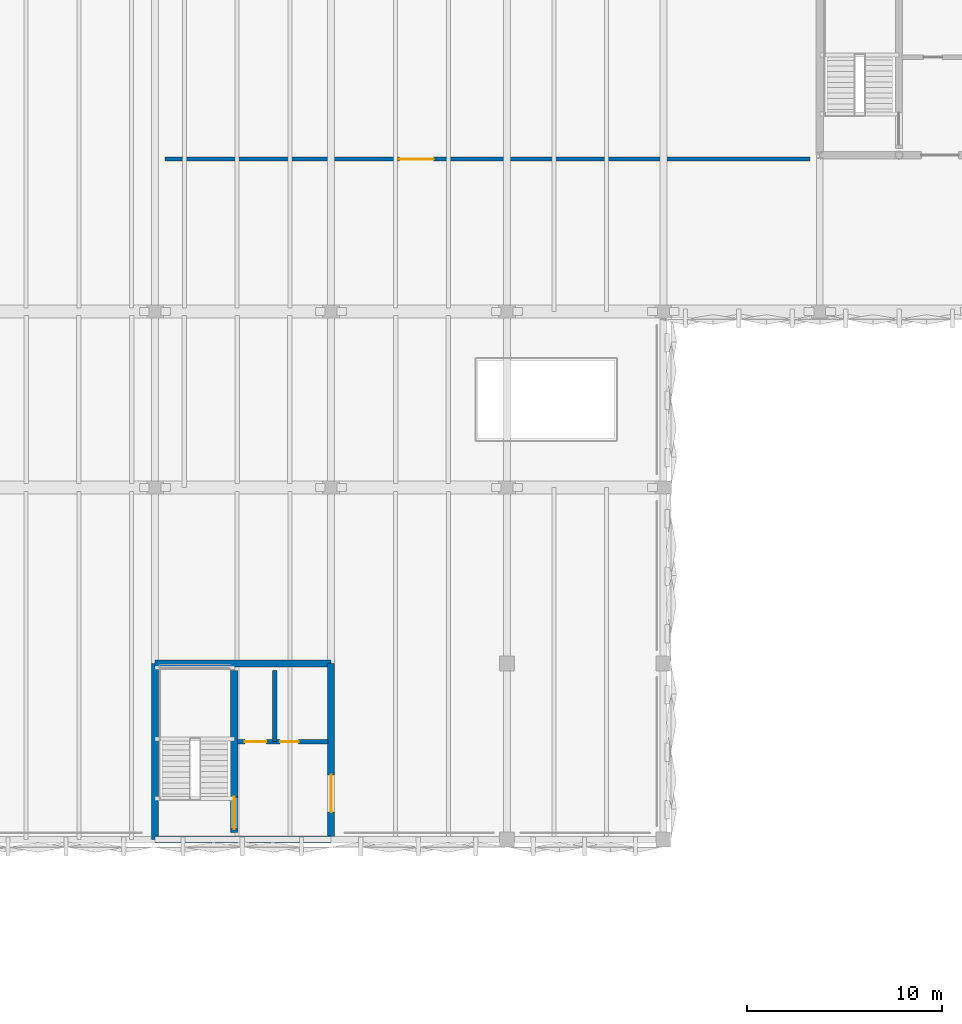
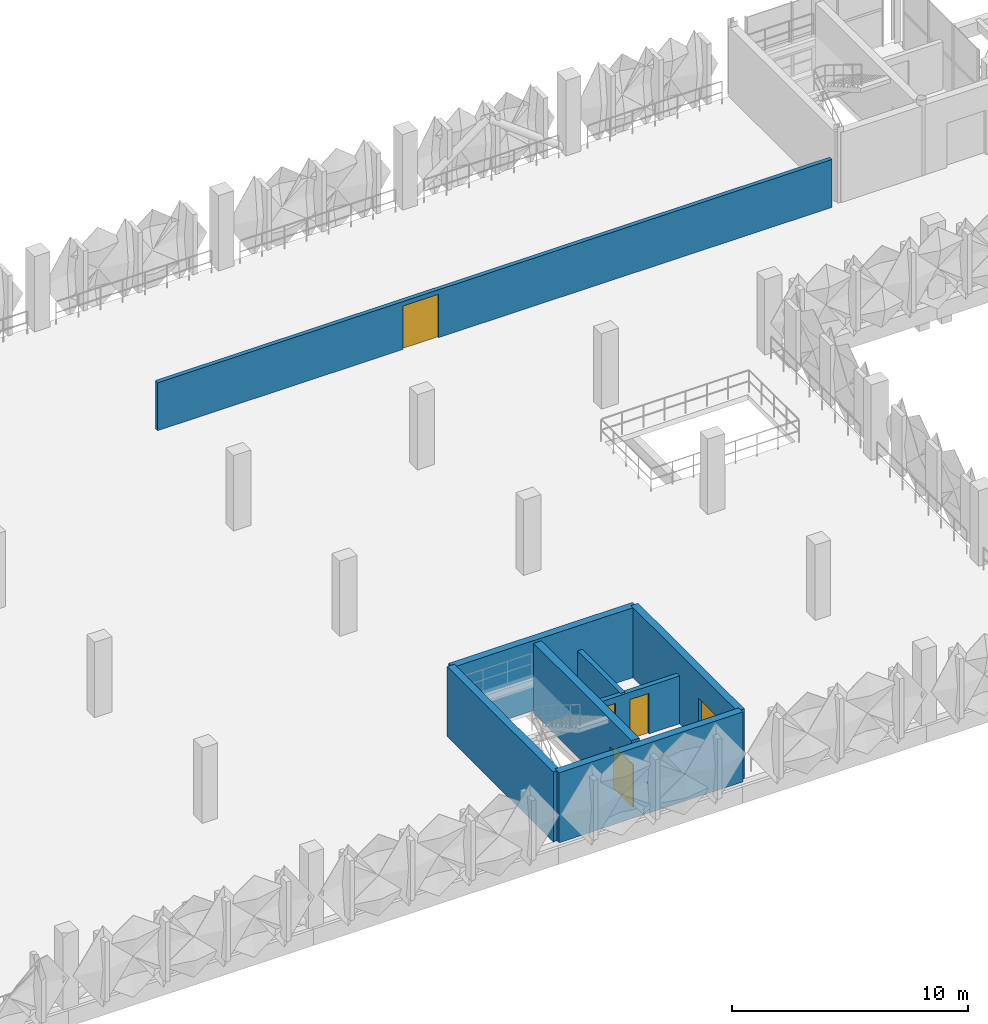
# One storey, part 41 of 76: 8 walls, 5 doors, 5 openings.
"""IFC4 building model written with IfcOpenShell, lengths in metres."""

from ifc_helpers import new_model, si_unit, derived_unit, direction, frame, frame_2d, origin, place, context, subcontext, project, spatial, rectangle, extrude, material, layer, layer_set, type_object, element, fill, save


model = new_model("IFC4")

# Units and contexts
model_context = context("Model", 3, precision=1e-05, world=origin(), true_north=direction((0.0, 1.0)))
body_context = subcontext(model_context, "Body", "Model", "MODEL_VIEW")
ifc_project = project(units=[si_unit("LENGTHUNIT", "METRE"), si_unit("AREAUNIT", "SQUARE_METRE"), si_unit("VOLUMEUNIT", "CUBIC_METRE"), si_unit("PLANEANGLEUNIT", "RADIAN"), si_unit("MASSUNIT", "GRAM", prefix="KILO"), si_unit("THERMODYNAMICTEMPERATUREUNIT", "KELVIN"), derived_unit("THERMALTRANSMITTANCEUNIT", [(si_unit("POWERUNIT", "WATT"), 1), (si_unit("AREAUNIT", "SQUARE_METRE"), -1), (si_unit("THERMODYNAMICTEMPERATUREUNIT", "KELVIN"), -1)])], contexts=[model_context])

# Site, building, storey
site_placement = place(None, origin())
site = spatial("IfcSite", under=ifc_project, at=site_placement, CompositionType="ELEMENT")
building_placement = place(site_placement, origin())
building = spatial("IfcBuilding", under=site, at=building_placement, Name="Haiyu Intermodal Mobility Hub", CompositionType="ELEMENT")
storey_placement = place(building_placement, frame((0.0, 0.0, 17.300048828125)))
storey = spatial("IfcBuildingStorey", under=building, at=storey_placement, Name="L04", CompositionType="ELEMENT", Elevation=17.300048828125)

# Wall
ifc_material_1 = material(Name="Autoclaved aerated concrete block A5.0", Category="concrete")
ifc_layer_1 = layer(ifc_material_1, 0.22998046875)
ifc_layer_set_1 = layer_set([ifc_layer_1], Name="Autoclaved aerated concrete block A5.0")
wall_type_1 = type_object("IfcWallType", Name="WAL-WI01", PredefinedType="PARTITIONING", material=ifc_layer_set_1)
wall_1_placement = place(storey_placement, frame((126.1298828125, 109.0, 0.0), z_axis=(0.0, 0.0, 1.0), x_axis=(0.0, 1.0, 0.0)))
element("IfcWall", 1, at=wall_1_placement, inside=storey, type_object=wall_type_1, Name="WAL-CORE-C6-LSH-L04", PredefinedType="PARTITIONING", context=body_context, shape_type="SweptSolid", body=[
    extrude(rectangle(XDim=3.64990234375, YDim=0.22998046875, at=frame_2d((1.824951171875, 0.0))), origin(), (0.0, 0.0, 1.0), 2.47998046875),
])

# Wall, openings, doors
wall_2_placement = place(storey_placement, frame((124.2099609375, 109.0, 0.0), z_axis=(0.0, 0.0, 1.0), x_axis=(1.0, 0.0, 0.0)))
wall_2 = element("IfcWall", 2, at=wall_2_placement, inside=storey, type_object=wall_type_1, Name="WAL-CORE-C6-LFT-L04", PredefinedType="PARTITIONING", context=body_context, shape_type="SweptSolid", body=[
    extrude(rectangle(XDim=4.630126953125, YDim=0.22998046875, at=frame_2d((2.31494140625, 0.0))), origin(), (0.0, 0.0, 1.0), 2.47998046875),
])
opening_1_placement = place(wall_2_placement, frame((0.3798828125, 0.0, 0.0)))
opening_1 = element("IfcOpeningElement", 3, at=opening_1_placement, cuts=wall_2, Name="Opening LD01", PredefinedType="OPENING", context=body_context, shape_type="SweptSolid", body=[
    extrude(rectangle(XDim=1.10009765625, YDim=2.14990234375, at=frame_2d((0.550048828125, 1.074951171875))), frame((0.0, 0.125, 0.0), z_axis=(0.0, -1.0, 0.0), x_axis=(1.0, 0.0, 0.0)), (0.0, 0.0, 1.0), 0.25),
])
opening_2_placement = place(wall_2_placement, frame((2.179931640625, 0.0, 0.0)))
opening_2 = element("IfcOpeningElement", 4, at=opening_2_placement, cuts=wall_2, Name="Opening DI07", PredefinedType="OPENING", context=body_context, shape_type="SweptSolid", body=[
    extrude(rectangle(XDim=0.949951171875, YDim=2.10009765625, at=frame_2d((0.47509765625, 1.050048828125))), frame((0.0, 0.125, 0.0), z_axis=(0.0, -1.0, 0.0), x_axis=(1.0, 0.0, 0.0)), (0.0, 0.0, 1.0), 0.25),
])
ifc_material_2 = material(Name="Steel Q355C", Category="steel")
door_type_1 = type_object("IfcDoorType", Name="DR-DI07", OperationType="NOTDEFINED", PredefinedType="DOOR", material=ifc_material_2)
door_1_placement = place(opening_2_placement, origin())
door_1 = element("IfcDoor", 5, at=door_1_placement, inside=storey, type_object=door_type_1, Name="Core C6 Accessible WC Door L04", OperationType="SINGLE_SWING_RIGHT", OverallHeight=2.10009765625, OverallWidth=0.949951171875, PredefinedType="DOOR", context=body_context, shape_type="SweptSolid", body=[
    extrude(rectangle(XDim=0.949951171875, YDim=2.10009765625, at=frame_2d((0.47509765625, 1.050048828125))), frame((0.0, 0.02490234375, 0.0), z_axis=(0.0, -1.0, 0.0), x_axis=(1.0, 0.0, 0.0)), (0.0, 0.0, 1.0), 0.050048828125),
])
fill(opening_2, door_1)
door_type_2 = type_object("IfcDoorType", Name="DR-LD01", OperationType="DOUBLE_DOOR_SLIDING", PredefinedType="DOOR", material=ifc_material_2)
door_2_placement = place(opening_1_placement, origin())
door_2 = element("IfcDoor", 6, at=door_2_placement, inside=storey, type_object=door_type_2, Name="Lift FL-03 Sliding Landing Door L04", OperationType="SLIDING_TO_LEFT", OverallHeight=2.14990234375, OverallWidth=1.10009765625, PredefinedType="DOOR", context=body_context, shape_type="SweptSolid", body=[
    extrude(rectangle(XDim=1.10009765625, YDim=2.14990234375, at=frame_2d((0.550048828125, 1.074951171875))), frame((0.0, 0.02490234375, 0.0), z_axis=(0.0, -1.0, 0.0), x_axis=(1.0, 0.0, 0.0)), (0.0, 0.0, 1.0), 0.050048828125),
])
fill(opening_1, door_2)

# Wall, opening, door
ifc_layer_2 = layer(ifc_material_1, 0.199951171875)
ifc_layer_set_2 = layer_set([ifc_layer_2], Name="Autoclaved aerated concrete block A5.0")
wall_type_2 = type_object("IfcWallType", Name="WAL-WI02", PredefinedType="PARTITIONING", material=ifc_layer_set_2)
wall_3_placement = place(storey_placement, frame((120.5, 138.800048828125, 0.0), z_axis=(0.0, 0.0, 1.0), x_axis=(1.0, 0.0, 0.0)))
wall_3 = element("IfcWall", 7, at=wall_3_placement, inside=storey, type_object=wall_type_2, Name="WAL-INT-0039", PredefinedType="PARTITIONING", context=body_context, shape_type="SweptSolid", body=[
    extrude(rectangle(XDim=33.0, YDim=0.199951171875, at=frame_2d((16.5, 0.0))), origin(), (0.0, 0.0, 1.0), 2.47998046875),
])
opening_3_placement = place(wall_3_placement, frame((12.0, 0.0, 0.0)))
opening_3 = element("IfcOpeningElement", 8, at=opening_3_placement, cuts=wall_3, Name="Opening DI09", PredefinedType="OPENING", context=body_context, shape_type="SweptSolid", body=[
    extrude(rectangle(XDim=1.75, YDim=2.25, at=frame_2d((0.875, 1.125))), frame((0.0, 0.10986328125, 0.0), z_axis=(0.0, -1.0, 0.0), x_axis=(1.0, 0.0, 0.0)), (0.0, 0.0, 1.0), 0.219970703125),
])
ifc_material_3 = material(Name="Anodised aluminium 6063-T6", Category="aluminium")
door_type_3 = type_object("IfcDoorType", Name="DR-DI09", OperationType="DOUBLE_DOOR_SINGLE_SWING", PredefinedType="DOOR", material=ifc_material_3)
door_3_placement = place(opening_3_placement, origin())
door_3 = element("IfcDoor", 9, at=door_3_placement, inside=storey, type_object=door_type_3, Name="Smoke-Extract Plant Door", OperationType="DOUBLE_SWING_LEFT", OverallHeight=2.25, OverallWidth=1.75, PredefinedType="DOOR", context=body_context, shape_type="SweptSolid", body=[
    extrude(rectangle(XDim=1.75, YDim=2.25, at=frame_2d((0.875, 1.125))), frame((0.0, 0.02490234375, 0.0), z_axis=(0.0, -1.0, 0.0), x_axis=(1.0, 0.0, 0.0)), (0.0, 0.0, 1.0), 0.050048828125),
])
fill(opening_3, door_3)

# Wall
ifc_material_4 = material(Name="Concrete C40", Category="concrete")
ifc_layer_3 = layer(ifc_material_4, 0.35009765625)
ifc_layer_set_3 = layer_set([ifc_layer_3], Name="Concrete C40")
wall_type_3 = type_object("IfcWallType", Name="WAL-WS02", PredefinedType="SHEAR", material=ifc_layer_set_3)
wall_4_placement = place(storey_placement, frame((120.0, 104.0, 0.0), z_axis=(0.0, 0.0, 1.0), x_axis=(1.0, 0.0, 0.0)))
element("IfcWall", 10, at=wall_4_placement, inside=storey, type_object=wall_type_3, Name="WAL-CORE-C6-S-L04", PredefinedType="SHEAR", context=body_context, shape_type="SweptSolid", body=[
    extrude(rectangle(XDim=9.0, YDim=0.35009765625, at=frame_2d((4.5, 0.0))), origin(), (0.0, 0.0, 1.0), 3.619873046875),
])

# Wall, opening, door
wall_5_placement = place(storey_placement, frame((129.0, 104.0, 0.0), z_axis=(0.0, 0.0, 1.0), x_axis=(0.0, 1.0, 0.0)))
wall_5 = element("IfcWall", 11, at=wall_5_placement, inside=storey, type_object=wall_type_3, Name="WAL-CORE-C6-E-L04", PredefinedType="SHEAR", context=body_context, shape_type="SweptSolid", body=[
    extrude(rectangle(XDim=9.0, YDim=0.35009765625, at=frame_2d((4.5, 0.0))), origin(), (0.0, 0.0, 1.0), 3.619873046875),
])
opening_4_placement = place(wall_5_placement, frame((1.39990234375, 0.0, 0.0)))
opening_4 = element("IfcOpeningElement", 12, at=opening_4_placement, cuts=wall_5, Name="Opening DI01", PredefinedType="OPENING", context=body_context, shape_type="SweptSolid", body=[
    extrude(rectangle(XDim=1.89990234375, YDim=2.300048828125, at=frame_2d((0.949951171875, 1.14990234375))), frame((0.0, 0.18505859375, 0.0), z_axis=(0.0, -1.0, 0.0), x_axis=(1.0, 0.0, 0.0)), (0.0, 0.0, 1.0), 0.3701171875),
])
door_type_4 = type_object("IfcDoorType", Name="DR-DI01", OperationType="DOUBLE_DOOR_SINGLE_SWING", PredefinedType="DOOR", material=ifc_material_2)
door_4_placement = place(opening_4_placement, origin())
door_4 = element("IfcDoor", 13, at=door_4_placement, inside=storey, type_object=door_type_4, Name="Core C6 Lobby Fire Door L04", OperationType="SINGLE_SWING_RIGHT", OverallHeight=2.300048828125, OverallWidth=1.89990234375, PredefinedType="DOOR", context=body_context, shape_type="SweptSolid", body=[
    extrude(rectangle(XDim=1.89990234375, YDim=2.300048828125, at=frame_2d((0.949951171875, 1.14990234375))), frame((0.0, 0.02490234375, 0.0), z_axis=(0.0, -1.0, 0.0), x_axis=(1.0, 0.0, 0.0)), (0.0, 0.0, 1.0), 0.050048828125),
])
fill(opening_4, door_4)

# Walls
for number, where, z_axis, x_axis, name in (
    (14, (129.0, 113.0, 0.0), (0.0, 0.0, 1.0), (-1.0, 0.0, 0.0), "WAL-CORE-C6-N-L04"),
    (15, (120.0, 113.0, 0.0), (0.0, 0.0, 1.0), (0.0, -1.0, 0.0), "WAL-CORE-C6-W-L04"),
):
    element("IfcWall", number, at=place(storey_placement, frame(where, z_axis=z_axis, x_axis=x_axis)), inside=storey, type_object=wall_type_3, Name=name, PredefinedType="SHEAR", context=body_context, shape_type="SweptSolid", body=[
        extrude(rectangle(XDim=9.0, YDim=0.35009765625, at=frame_2d((4.5, 0.0))), origin(), (0.0, 0.0, 1.0), 3.619873046875),
    ])

# Wall, opening, door
ifc_layer_4 = layer(ifc_material_4, 0.3798828125)
ifc_layer_set_4 = layer_set([ifc_layer_4], Name="Concrete C40")
wall_type_4 = type_object("IfcWallType", Name="WAL-WS03", PredefinedType="SHEAR", material=ifc_layer_set_4)
wall_6_placement = place(storey_placement, frame((124.050048828125, 104.35009765625, 0.0), z_axis=(0.0, 0.0, 1.0), x_axis=(0.0, 1.0, 0.0)))
wall_6 = element("IfcWall", 16, at=wall_6_placement, inside=storey, type_object=wall_type_4, Name="WAL-CORE-C6-MID-L04", PredefinedType="SHEAR", context=body_context, shape_type="SweptSolid", body=[
    extrude(rectangle(XDim=8.2998046875, YDim=0.3798828125, at=frame_2d((4.14990234375, 0.0))), origin(), (0.0, 0.0, 1.0), 3.619873046875),
])
opening_5_placement = place(wall_6_placement, frame((0.179931640625, 0.0, 0.0)))
opening_5 = element("IfcOpeningElement", 17, at=opening_5_placement, cuts=wall_6, Name="Opening DI02", PredefinedType="OPENING", context=body_context, shape_type="SweptSolid", body=[
    extrude(rectangle(XDim=1.64990234375, YDim=2.199951171875, at=frame_2d((0.824951171875, 1.10009765625))), frame((0.0, 0.199951171875, 0.0), z_axis=(0.0, -1.0, 0.0), x_axis=(1.0, 0.0, 0.0)), (0.0, 0.0, 1.0), 0.39990234375),
])
door_type_5 = type_object("IfcDoorType", Name="DR-DI02", OperationType="DOUBLE_DOOR_SINGLE_SWING", PredefinedType="DOOR", material=ifc_material_2)
door_5_placement = place(opening_5_placement, origin())
door_5 = element("IfcDoor", 18, at=door_5_placement, inside=storey, type_object=door_type_5, Name="Stair ST01 Fire Door L04", OperationType="SINGLE_SWING_RIGHT", OverallHeight=2.199951171875, OverallWidth=1.64990234375, PredefinedType="DOOR", context=body_context, shape_type="SweptSolid", body=[
    extrude(rectangle(XDim=1.64990234375, YDim=2.199951171875, at=frame_2d((0.824951171875, 1.10009765625))), frame((0.0, 0.02490234375, 0.0), z_axis=(0.0, -1.0, 0.0), x_axis=(1.0, 0.0, 0.0)), (0.0, 0.0, 1.0), 0.050048828125),
])
fill(opening_5, door_5)

save(model, "model.ifc")
